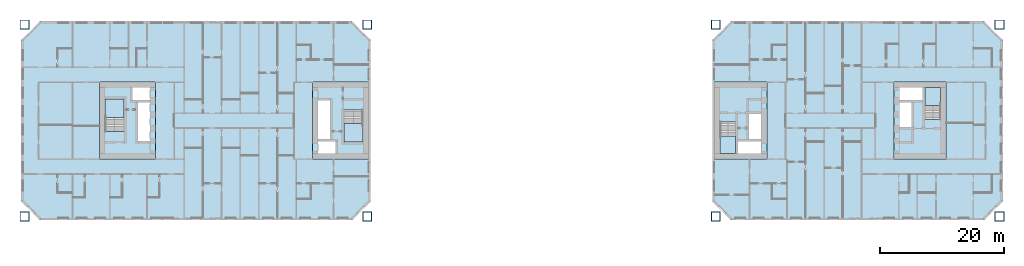
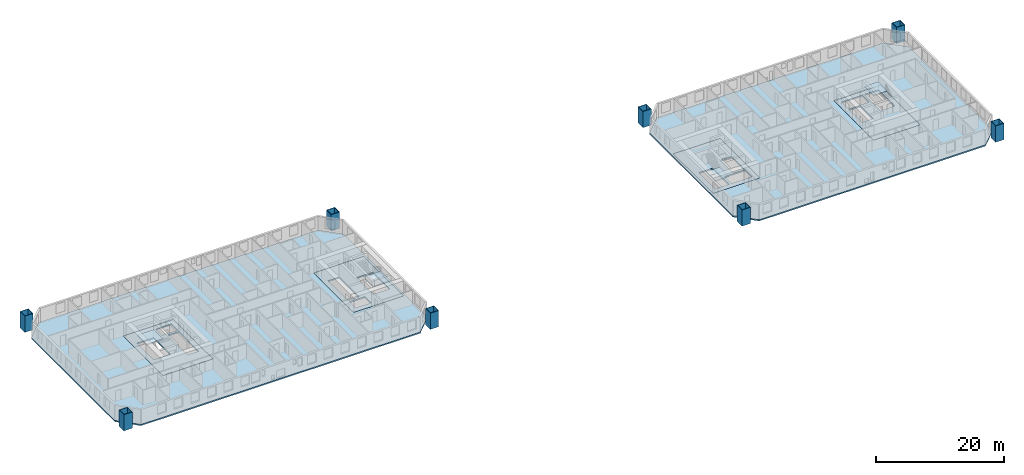
# One storey, part 1 of 16: 10 slabs, 8 columns, 4 elements without a shape of their own.
"""IFC4 building model written with IfcOpenShell, lengths in metres."""

from ifc_helpers import new_model, si_unit, direction, frame, origin, origin_2d, place, context, subcontext, project, spatial, polyline, hollow_rectangle, outline, extrude, material, layer, layer_set, material_profile, profile_set, type_object, element, aggregate, save


model = new_model("IFC4")

# Units and contexts
model_context = context("Model", 3, precision=1e-05, world=origin(), true_north=direction((0.0, 1.0)))
body_context = subcontext(model_context, "Body", "Model", "MODEL_VIEW")
ifc_project = project(units=[si_unit("LENGTHUNIT", "METRE"), si_unit("AREAUNIT", "SQUARE_METRE"), si_unit("VOLUMEUNIT", "CUBIC_METRE"), si_unit("PLANEANGLEUNIT", "RADIAN"), si_unit("MASSUNIT", "GRAM", prefix="KILO")], contexts=[model_context])

# Site, building, storey
site_placement = place(None, origin())
site = spatial("IfcSite", under=ifc_project, at=site_placement, CompositionType="ELEMENT")
building_placement = place(site_placement, origin())
building = spatial("IfcBuilding", under=site, at=building_placement, Name="Tuart Gate Housing", CompositionType="ELEMENT")
storey_placement = place(building_placement, frame((0.0, 0.0, 35.0)))
storey = spatial("IfcBuildingStorey", under=building, at=storey_placement, Name="L09", CompositionType="ELEMENT", Elevation=35.0)

# Columns
ifc_material_1 = material(Name="Steel Grade 350", Category="steel")
ifc_material_profile = material_profile(ifc_material_1, hollow_rectangle(XDim=1.5, YDim=1.5, WallThickness=0.080078125, at=origin_2d()), Name="BOX 1500x1500x80")
ifc_profile_set = profile_set([ifc_material_profile], Name="Steel Grade 350")
column_type = type_object("IfcColumnType", Name="Mega column BOX 1500x1500x80", PredefinedType="COLUMN", material=ifc_profile_set)
for number, where, z_axis, x_axis, name in (
    (1, (20.300048828125, 54.550048828125, 0.0), (0.0, 0.0, 1.0), (1.0, 0.0, 0.0), "Mega column A south-west L09"),
    (2, (75.449951171875, 54.550048828125, 0.0), (0.0, 0.0, 1.0), (1.0, 0.0, 0.0), "Mega column A south-east L09"),
    (3, (75.449951171875, 85.449951171875, 0.0), (0.0, 0.0, 1.0), (1.0, 0.0, 0.0), "Mega column A north-east L09"),
    (4, (20.300048828125, 85.449951171875, 0.0), (0.0, 0.0, 1.0), (1.0, 0.0, 0.0), "Mega column A north-west L09"),
    (5, (131.550048828125, 54.550048828125, 0.0), (0.0, 0.0, 1.0), (1.0, 0.0, 0.0), "Mega column B south-west L09"),
    (6, (177.199951171875, 54.550048828125, 0.0), (0.0, 0.0, 1.0), (1.0, 0.0, 0.0), "Mega column B south-east L09"),
    (7, (177.199951171875, 85.449951171875, 0.0), (0.0, 0.0, 1.0), (1.0, 0.0, 0.0), "Mega column B north-east L09"),
    (8, (131.550048828125, 85.449951171875, 0.0), (0.0, 0.0, 1.0), (1.0, 0.0, 0.0), "Mega column B north-west L09"),
):
    element("IfcColumn", number, at=place(storey_placement, frame(where, z_axis=z_axis, x_axis=x_axis)), inside=storey, type_object=column_type, Name=name, PredefinedType="COLUMN", context=body_context, shape_type="SweptSolid", body=[
        extrude(hollow_rectangle(XDim=1.5, YDim=1.5, WallThickness=0.080078125, at=origin_2d()), origin(), (0.0, 0.0, 1.0), 3.10009765625),
    ])

# Slabs
ifc_material_2 = material(Name="Concrete C40", Category="concrete")
ifc_layer_1 = layer(ifc_material_2, 0.25)
ifc_layer_set_1 = layer_set([ifc_layer_1], Name="Core floor slab 250")
slab_type_1 = type_object("IfcSlabType", Name="Core floor slab 250", PredefinedType="FLOOR", material=ifc_layer_set_1)
slab_1_placement = place(storey_placement, frame((0.0, 0.0, -0.25)))
element("IfcSlab", 9, at=slab_1_placement, inside=storey, type_object=slab_type_1, Name="Core floor AG", PredefinedType="FLOOR", context=body_context, shape_type="SweptSolid", body=[
    extrude(outline(polyline([(66.639892578125, 63.800048828125), (75.639892578125, 63.800048828125), (75.639892578125, 76.199951171875), (66.639892578125, 76.199951171875), (66.639892578125, 63.800048828125)]), holes=[polyline([(67.5400390625, 64.699951171875), (70.31005859375, 64.699951171875), (70.31005859375, 66.64990234375), (67.5400390625, 66.64990234375), (67.5400390625, 64.699951171875)]), polyline([(67.5400390625, 67.050048828125), (69.489990234375, 67.050048828125), (69.489990234375, 73.25), (67.5400390625, 73.25), (67.5400390625, 67.050048828125)]), polyline([(71.739990234375, 66.550048828125), (74.739990234375, 66.550048828125), (74.739990234375, 71.72998046875), (71.739990234375, 71.72998046875), (71.739990234375, 66.550048828125)])]), origin(), (0.0, 0.0, 1.0), 0.25),
])
slab_2_placement = place(storey_placement, frame((0.0, 0.0, -0.25)))
element("IfcSlab", 10, at=slab_2_placement, inside=storey, type_object=slab_type_1, Name="Core floor AK", PredefinedType="FLOOR", context=body_context, shape_type="SweptSolid", body=[
    extrude(outline(polyline([(32.360107421875, 63.800048828125), (41.360107421875, 63.800048828125), (41.360107421875, 76.199951171875), (32.360107421875, 76.199951171875), (32.360107421875, 63.800048828125)]), holes=[polyline([(40.4599609375, 75.300048828125), (37.68994140625, 75.300048828125), (37.68994140625, 73.35009765625), (40.4599609375, 73.35009765625), (40.4599609375, 75.300048828125)]), polyline([(40.4599609375, 72.949951171875), (38.510009765625, 72.949951171875), (38.510009765625, 66.75), (40.4599609375, 66.75), (40.4599609375, 72.949951171875)]), polyline([(36.260009765625, 73.449951171875), (33.260009765625, 73.449951171875), (33.260009765625, 68.27001953125), (36.260009765625, 68.27001953125), (36.260009765625, 73.449951171875)])]), origin(), (0.0, 0.0, 1.0), 0.25),
])
slab_3_placement = place(storey_placement, frame((0.0, 0.0, -0.25)))
element("IfcSlab", 11, at=slab_3_placement, inside=storey, type_object=slab_type_1, Name="Core floor BG", PredefinedType="FLOOR", context=body_context, shape_type="SweptSolid", body=[
    extrude(outline(polyline([(131.360107421875, 63.800048828125), (139.760009765625, 63.800048828125), (139.760009765625, 76.199951171875), (131.360107421875, 76.199951171875), (131.360107421875, 63.800048828125)]), holes=[polyline([(138.860107421875, 66.85009765625), (135.159912109375, 66.85009765625), (135.159912109375, 64.699951171875), (138.860107421875, 64.699951171875), (138.860107421875, 66.85009765625)]), polyline([(138.860107421875, 71.050048828125), (136.909912109375, 71.050048828125), (136.909912109375, 67.050048828125), (138.860107421875, 67.050048828125), (138.860107421875, 71.050048828125)]), polyline([(134.760009765625, 69.780029296875), (132.260009765625, 69.780029296875), (132.260009765625, 64.699951171875), (134.760009765625, 64.699951171875), (134.760009765625, 69.780029296875)])]), origin(), (0.0, 0.0, 1.0), 0.25),
])
slab_4_placement = place(storey_placement, frame((0.0, 0.0, -0.25)))
element("IfcSlab", 12, at=slab_4_placement, inside=storey, type_object=slab_type_1, Name="Core floor BK", PredefinedType="FLOOR", context=body_context, shape_type="SweptSolid", body=[
    extrude(outline(polyline([(160.239990234375, 63.800048828125), (168.639892578125, 63.800048828125), (168.639892578125, 76.199951171875), (160.239990234375, 76.199951171875), (160.239990234375, 63.800048828125)]), holes=[polyline([(161.139892578125, 73.14990234375), (164.840087890625, 73.14990234375), (164.840087890625, 75.300048828125), (161.139892578125, 75.300048828125), (161.139892578125, 73.14990234375)]), polyline([(161.139892578125, 68.949951171875), (163.090087890625, 68.949951171875), (163.090087890625, 72.949951171875), (161.139892578125, 72.949951171875), (161.139892578125, 68.949951171875)]), polyline([(165.239990234375, 70.219970703125), (167.739990234375, 70.219970703125), (167.739990234375, 75.300048828125), (165.239990234375, 75.300048828125), (165.239990234375, 70.219970703125)])]), origin(), (0.0, 0.0, 1.0), 0.25),
])
ifc_material_3 = material(Name="Concrete C40", Category="concrete")
ifc_layer_2 = layer(ifc_material_3, 0.25)
ifc_layer_set_2 = layer_set([ifc_layer_2], Name="Flat plate 250")
slab_type_2 = type_object("IfcSlabType", Name="Flat plate 250", PredefinedType="FLOOR", material=ifc_layer_set_2)
slab_5_placement = place(storey_placement, frame((0.0, 0.0, -0.25)))
element("IfcSlab", 13, at=slab_5_placement, inside=storey, type_object=slab_type_2, Name="Floor slab A L09", PredefinedType="FLOOR", context=body_context, shape_type="SweptSolid", body=[
    extrude(outline(polyline([(22.75, 86.0), (19.75, 83.0), (19.75, 57.0), (22.75, 54.0), (73.0, 54.0), (76.0, 57.0), (76.0, 83.0), (73.0, 86.0), (22.75, 86.0)]), holes=[polyline([(66.639892578125, 76.199951171875), (75.639892578125, 76.199951171875), (75.639892578125, 63.800048828125), (66.639892578125, 63.800048828125), (66.639892578125, 76.199951171875)]), polyline([(41.360107421875, 76.199951171875), (41.360107421875, 63.800048828125), (32.360107421875, 63.800048828125), (32.360107421875, 76.199951171875), (41.360107421875, 76.199951171875)])]), origin(), (0.0, 0.0, 1.0), 0.25),
])
slab_6_placement = place(storey_placement, frame((0.0, 0.0, -0.25)))
element("IfcSlab", 14, at=slab_6_placement, inside=storey, type_object=slab_type_2, Name="Floor slab B L09", PredefinedType="FLOOR", context=body_context, shape_type="SweptSolid", body=[
    extrude(outline(polyline([(134.0, 86.0), (131.0, 83.0), (131.0, 57.0), (134.0, 54.0), (174.75, 54.0), (177.75, 57.0), (177.75, 83.0), (174.75, 86.0), (134.0, 86.0)]), holes=[polyline([(131.360107421875, 76.199951171875), (139.760009765625, 76.199951171875), (139.760009765625, 63.800048828125), (131.360107421875, 63.800048828125), (131.360107421875, 76.199951171875)]), polyline([(168.639892578125, 76.199951171875), (168.639892578125, 63.800048828125), (160.239990234375, 63.800048828125), (160.239990234375, 76.199951171875), (168.639892578125, 76.199951171875)])]), origin(), (0.0, 0.0, 1.0), 0.25),
])

# Stair, slab
ifc_material_4 = material(Name="Concrete C40", Category="concrete")
stair_type_1 = type_object("IfcStairType", Name="Core stair 1500", PredefinedType="HALF_TURN_STAIR", material=ifc_material_4)
stair_1_placement = place(storey_placement, origin())
stair_1 = element("IfcStair", 15, at=stair_1_placement, inside=storey, type_object=stair_type_1, Name="Stair SA1", PredefinedType="HALF_TURN_STAIR")
ifc_material_5 = material(Name="Concrete C40", Category="concrete")
ifc_layer_3 = layer(ifc_material_5, 0.199951171875)
ifc_layer_set_3 = layer_set([ifc_layer_3], Name="Stair landing 200")
slab_type_3 = type_object("IfcSlabType", Name="Stair landing 200", PredefinedType="LANDING", material=ifc_layer_set_3)
slab_7_placement = place(storey_placement, frame((0.0, 0.0, 1.35009765625)))
slab_7 = element("IfcSlab", 16, at=slab_7_placement, type_object=slab_type_3, Name="SA1 landing 1", PredefinedType="LANDING", context=body_context, shape_type="SweptSolid", body=[
    extrude(outline(polyline([(71.739990234375, 66.550048828125), (74.739990234375, 66.550048828125), (74.739990234375, 69.510009765625), (71.739990234375, 69.510009765625), (71.739990234375, 66.550048828125)])), origin(), (0.0, 0.0, 1.0), 0.199951171875),
])
aggregate(stair_1, [slab_7])

stair_2_placement = place(storey_placement, origin())
stair_2 = element("IfcStair", 17, at=stair_2_placement, inside=storey, type_object=stair_type_1, Name="Stair SA2", PredefinedType="HALF_TURN_STAIR")
slab_8_placement = place(storey_placement, frame((0.0, 0.0, 1.35009765625)))
slab_8 = element("IfcSlab", 18, at=slab_8_placement, type_object=slab_type_3, Name="SA2 landing 1", PredefinedType="LANDING", context=body_context, shape_type="SweptSolid", body=[
    extrude(outline(polyline([(36.260009765625, 73.449951171875), (33.260009765625, 73.449951171875), (33.260009765625, 70.489990234375), (36.260009765625, 70.489990234375), (36.260009765625, 73.449951171875)])), origin(), (0.0, 0.0, 1.0), 0.199951171875),
])
aggregate(stair_2, [slab_8])

ifc_material_6 = material(Name="Concrete C40", Category="concrete")
stair_type_2 = type_object("IfcStairType", Name="Core stair 1250", PredefinedType="HALF_TURN_STAIR", material=ifc_material_6)
stair_3_placement = place(storey_placement, origin())
stair_3 = element("IfcStair", 19, at=stair_3_placement, inside=storey, type_object=stair_type_2, Name="Stair SB1", PredefinedType="HALF_TURN_STAIR")
slab_9_placement = place(storey_placement, frame((0.0, 0.0, 1.35009765625)))
slab_9 = element("IfcSlab", 20, at=slab_9_placement, type_object=slab_type_3, Name="SB1 landing 1", PredefinedType="LANDING", context=body_context, shape_type="SweptSolid", body=[
    extrude(outline(polyline([(134.760009765625, 67.56005859375), (132.260009765625, 67.56005859375), (132.260009765625, 64.699951171875), (134.760009765625, 64.699951171875), (134.760009765625, 67.56005859375)])), origin(), (0.0, 0.0, 1.0), 0.199951171875),
])
aggregate(stair_3, [slab_9])

stair_4_placement = place(storey_placement, origin())
stair_4 = element("IfcStair", 21, at=stair_4_placement, inside=storey, type_object=stair_type_2, Name="Stair SB2", PredefinedType="HALF_TURN_STAIR")
slab_10_placement = place(storey_placement, frame((0.0, 0.0, 1.35009765625)))
slab_10 = element("IfcSlab", 22, at=slab_10_placement, type_object=slab_type_3, Name="SB2 landing 1", PredefinedType="LANDING", context=body_context, shape_type="SweptSolid", body=[
    extrude(outline(polyline([(165.239990234375, 72.43994140625), (167.739990234375, 72.43994140625), (167.739990234375, 75.300048828125), (165.239990234375, 75.300048828125), (165.239990234375, 72.43994140625)])), origin(), (0.0, 0.0, 1.0), 0.199951171875),
])
aggregate(stair_4, [slab_10])

save(model, "model.ifc")
